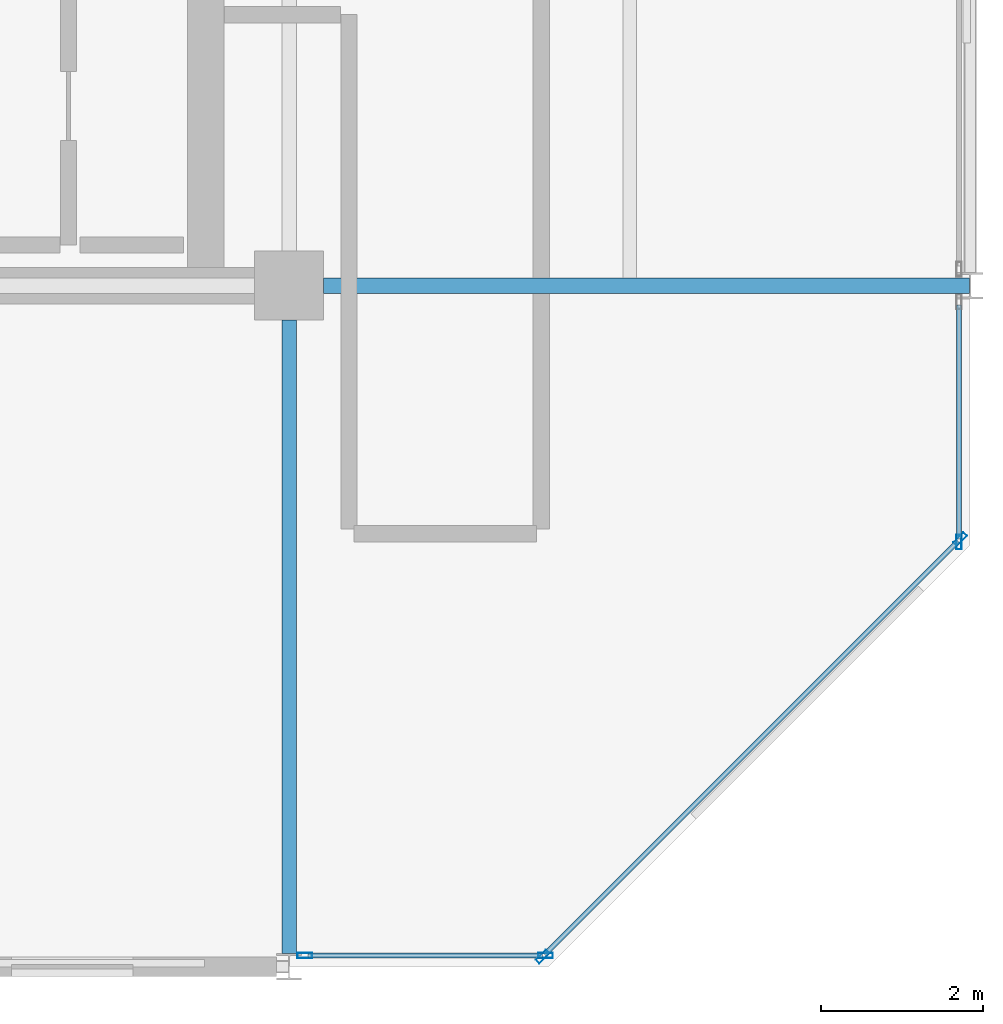
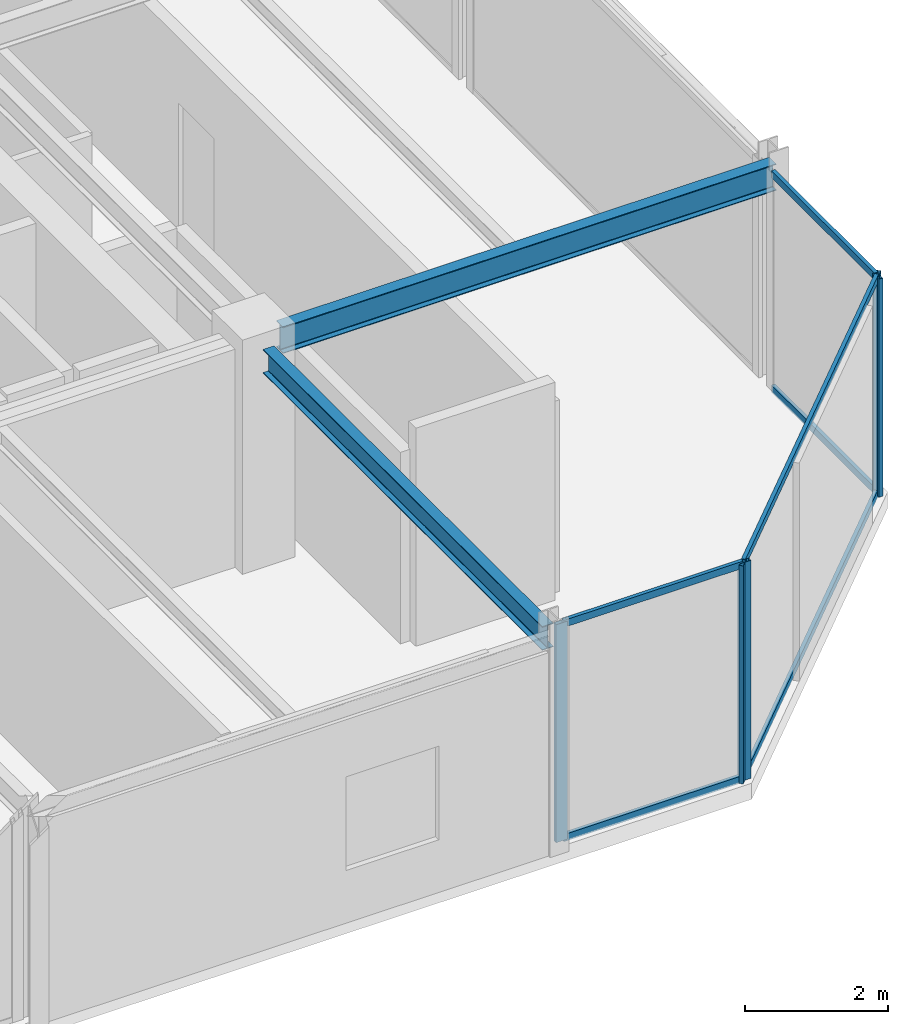
# One storey, part 14 of 26: 11 members, 2 beams, 3 elements without a shape of their own.
"""IFC4 building model written with IfcOpenShell, lengths in metres."""

from ifc_helpers import new_model, si_unit, direction, frame, origin, origin_2d, place, context, subcontext, project, spatial, hollow_rectangle, i_section, extrude, material, layer, layer_set, material_profile, profile_set, type_object, element, aggregate, save


model = new_model("IFC4")

# Units and contexts
model_context = context("Model", 3, precision=1e-05, world=origin(), true_north=direction((0.0, 1.0)))
body_context = subcontext(model_context, "Body", "Model", "MODEL_VIEW")
ifc_project = project(units=[si_unit("LENGTHUNIT", "METRE"), si_unit("AREAUNIT", "SQUARE_METRE"), si_unit("VOLUMEUNIT", "CUBIC_METRE"), si_unit("PLANEANGLEUNIT", "RADIAN"), si_unit("MASSUNIT", "GRAM", prefix="KILO")], contexts=[model_context])

# Site, building, storey
site_placement = place(None, origin())
site = spatial("IfcSite", under=ifc_project, at=site_placement, CompositionType="ELEMENT")
building_placement = place(site_placement, origin())
building = spatial("IfcBuilding", under=site, at=building_placement, Name="Nerrivon Quay Data Exchange", CompositionType="ELEMENT")
storey_placement = place(building_placement, frame((0.0, 0.0, 262.199951171875)))
storey = spatial("IfcBuildingStorey", under=building, at=storey_placement, Name="L62", CompositionType="ELEMENT", Elevation=262.199951171875)

# Beams
ifc_material_1 = material(Name="Steel Grade 350", Category="steel")
ifc_material_profile_1 = material_profile(ifc_material_1, i_section(OverallWidth=0.18994140625, OverallDepth=0.4541015625, WebThickness=0.008544921875, FlangeThickness=0.0126953125, FilletRadius=0.011474609375, at=origin_2d()), Name="460UB67.1")
ifc_profile_set_1 = profile_set([ifc_material_profile_1], Name="Steel Grade 350")
beam_type_1 = type_object("IfcBeamType", Name="BM-G6-460UB67", PredefinedType="BEAM", material=ifc_profile_set_1)
beam_1_placement = place(storey_placement, frame((34.02490234375, 8.39990234375, 3.498046875), z_axis=(1.0, 0.0, 0.0), x_axis=(0.0, 1.0, 0.0)))
element("IfcBeam", 1, at=beam_1_placement, inside=storey, type_object=beam_type_1, Name="L62 EW Girder Y=8.4 (33.6..42.0)", PredefinedType="BEAM", context=body_context, shape_type="SweptSolid", body=[
    extrude(i_section(OverallWidth=0.18994140625, OverallDepth=0.4541015625, WebThickness=0.008544921875, FlangeThickness=0.0126953125, FilletRadius=0.011474609375, at=origin_2d()), origin(), (0.0, 0.0, 1.0), 7.96728515625),
])
ifc_material_profile_2 = material_profile(ifc_material_1, i_section(OverallWidth=0.177978515625, OverallDepth=0.406005859375, WebThickness=0.0078125, FlangeThickness=0.0126953125, FilletRadius=0.011474609375, at=origin_2d()), Name="410UB59.7")
ifc_profile_set_2 = profile_set([ifc_material_profile_2], Name="Steel Grade 350")
beam_type_2 = type_object("IfcBeamType", Name="BM-J1-410UB60", PredefinedType="JOIST", material=ifc_profile_set_2)
beam_2_placement = place(storey_placement, frame((33.60009765625, 0.16357421875, 3.52197265625), z_axis=(0.0, 1.0, 0.0), x_axis=(-1.0, 0.0, 0.0)))
element("IfcBeam", 2, at=beam_2_placement, inside=storey, type_object=beam_type_2, Name="L62 NS Girder X=33.6 (0.0..8.4)", PredefinedType="JOIST", context=body_context, shape_type="SweptSolid", body=[
    extrude(i_section(OverallWidth=0.177978515625, OverallDepth=0.406005859375, WebThickness=0.0078125, FlangeThickness=0.0126953125, FilletRadius=0.011474609375, at=origin_2d()), origin(), (0.0, 0.0, 1.0), 7.8115234375),
])

# Curtain wall, members
ifc_material_2 = material(Name="Anodised aluminium 6063-T6", Category="aluminium")
ifc_layer = layer(ifc_material_2, 0.195068359375)
ifc_layer_set = layer_set([ifc_layer], Name="Anodised aluminium 6063-T6")
curtain_wall_type = type_object("IfcCurtainWallType", Name="CW-SYS-06", PredefinedType="NOTDEFINED", material=ifc_layer_set)
curtain_wall_1_placement = place(storey_placement, origin())
curtain_wall_1 = element("IfcCurtainWall", 3, at=curtain_wall_1_placement, inside=storey, type_object=curtain_wall_type, Name="L62 Unitised Curtain Wall 1", PredefinedType="NOTDEFINED")
ifc_material_profile_3 = material_profile(ifc_material_2, hollow_rectangle(XDim=0.06494140625, YDim=0.179931640625, WallThickness=0.00341796875, at=origin_2d()), Name="ALU-MULL-180x65")
ifc_profile_set_3 = profile_set([ifc_material_profile_3], Name="Anodised aluminium 6063-T6")
member_type_1 = type_object("IfcMemberType", Name="CWM-180x65", PredefinedType="MULLION", material=ifc_profile_set_3)
member_1_placement = place(storey_placement, frame((41.87451171875, 5.2724609375, 0.0), z_axis=(0.0, 0.0, 1.0), x_axis=(0.707106781187, -0.707106781187, 0.0)))
member_1 = element("IfcMember", 4, at=member_1_placement, type_object=member_type_1, Name="CW06 mullion 1", PredefinedType="MULLION", context=body_context, shape_type="SweptSolid", body=[
    extrude(hollow_rectangle(XDim=0.06494140625, YDim=0.179931640625, WallThickness=0.00341796875, at=origin_2d()), origin(), (0.0, 0.0, 1.0), 3.72509765625),
])
member_2_placement = place(storey_placement, frame((36.7275390625, 0.12548828125, 0.0), z_axis=(0.0, 0.0, 1.0), x_axis=(0.707106781187, -0.707106781187, 0.0)))
member_2 = element("IfcMember", 5, at=member_2_placement, type_object=member_type_1, Name="CW06 mullion 2", PredefinedType="MULLION", context=body_context, shape_type="SweptSolid", body=[
    extrude(hollow_rectangle(XDim=0.06494140625, YDim=0.179931640625, WallThickness=0.00341796875, at=origin_2d()), origin(), (0.0, 0.0, 1.0), 3.72509765625),
])

curtain_wall_2_placement = place(storey_placement, origin())
curtain_wall_2 = element("IfcCurtainWall", 6, at=curtain_wall_2_placement, inside=storey, type_object=curtain_wall_type, Name="L62 Unitised Curtain Wall 2", PredefinedType="NOTDEFINED")
member_3_placement = place(storey_placement, frame((36.762451171875, 0.139892578125, 0.0), z_axis=(0.0, 0.0, 1.0), x_axis=(0.0, -1.0, 0.0)))
member_3 = element("IfcMember", 7, at=member_3_placement, type_object=member_type_1, Name="CW06 mullion 1", PredefinedType="MULLION", context=body_context, shape_type="SweptSolid", body=[
    extrude(hollow_rectangle(XDim=0.06494140625, YDim=0.179931640625, WallThickness=0.00341796875, at=origin_2d()), origin(), (0.0, 0.0, 1.0), 3.72509765625),
])
member_4_placement = place(storey_placement, frame((33.79296875, 0.139892578125, 0.0), z_axis=(0.0, 0.0, 1.0), x_axis=(0.0, -1.0, 0.0)))
member_4 = element("IfcMember", 8, at=member_4_placement, type_object=member_type_1, Name="CW06 mullion 2", PredefinedType="MULLION", context=body_context, shape_type="SweptSolid", body=[
    extrude(hollow_rectangle(XDim=0.06494140625, YDim=0.179931640625, WallThickness=0.00341796875, at=origin_2d()), origin(), (0.0, 0.0, 1.0), 3.72509765625),
])

# Curtain wall, member
curtain_wall_3_placement = place(storey_placement, origin())
curtain_wall_3 = element("IfcCurtainWall", 9, at=curtain_wall_3_placement, inside=storey, type_object=curtain_wall_type, Name="L62 Unitised Curtain Wall 28", PredefinedType="NOTDEFINED")
member_5_placement = place(storey_placement, frame((41.860107421875, 5.237548828125, 0.0), z_axis=(0.0, 0.0, 1.0), x_axis=(1.0, 0.0, 0.0)))
member_5 = element("IfcMember", 10, at=member_5_placement, type_object=member_type_1, Name="CW06 mullion 2", PredefinedType="MULLION", context=body_context, shape_type="SweptSolid", body=[
    extrude(hollow_rectangle(XDim=0.06494140625, YDim=0.179931640625, WallThickness=0.00341796875, at=origin_2d()), origin(), (0.0, 0.0, 1.0), 3.72509765625),
])

# Member
ifc_material_profile_4 = material_profile(ifc_material_2, hollow_rectangle(XDim=0.06005859375, YDim=0.1201171875, WallThickness=0.003173828125, at=origin_2d()), Name="ALU-TRAN-120x60")
ifc_profile_set_4 = profile_set([ifc_material_profile_4], Name="Anodised aluminium 6063-T6")
member_type_2 = type_object("IfcMemberType", Name="CWT-120x60", PredefinedType="USERDEFINED", material=ifc_profile_set_4)
member_6_placement = place(storey_placement, frame((41.847900390625, 5.245849609375, 0.032470703125), z_axis=(-0.707106781187, -0.707106781187, 0.0), x_axis=(0.707106781187, -0.707106781187, 0.0)))
member_6 = element("IfcMember", 11, at=member_6_placement, type_object=member_type_2, Name="CW06 transom 1.1", ObjectType="TRANSOM", PredefinedType="USERDEFINED", context=body_context, shape_type="SweptSolid", body=[
    extrude(hollow_rectangle(XDim=0.06005859375, YDim=0.1201171875, WallThickness=0.003173828125, at=origin_2d()), origin(), (0.0, 0.0, 1.0), 7.20361328125),
])

member_7_placement = place(storey_placement, frame((41.847900390625, 5.245849609375, 3.692626953125), z_axis=(-0.707106781187, -0.707106781187, 0.0), x_axis=(0.707106781187, -0.707106781187, 0.0)))
member_7 = element("IfcMember", 12, at=member_7_placement, type_object=member_type_2, Name="CW06 transom 1.2", ObjectType="TRANSOM", PredefinedType="USERDEFINED", context=body_context, shape_type="SweptSolid", body=[
    extrude(hollow_rectangle(XDim=0.06005859375, YDim=0.1201171875, WallThickness=0.003173828125, at=origin_2d()), origin(), (0.0, 0.0, 1.0), 7.20361328125),
])

aggregate(curtain_wall_1, [member_1, member_2, member_6, member_7])

member_8_placement = place(storey_placement, frame((36.72509765625, 0.139892578125, 0.032470703125), z_axis=(-1.0, 0.0, 0.0), x_axis=(0.0, -1.0, 0.0)))
member_8 = element("IfcMember", 13, at=member_8_placement, type_object=member_type_2, Name="CW06 transom 1.1", ObjectType="TRANSOM", PredefinedType="USERDEFINED", context=body_context, shape_type="SweptSolid", body=[
    extrude(hollow_rectangle(XDim=0.06005859375, YDim=0.1201171875, WallThickness=0.003173828125, at=origin_2d()), origin(), (0.0, 0.0, 1.0), 2.89453125),
])

member_9_placement = place(storey_placement, frame((36.72509765625, 0.139892578125, 3.692626953125), z_axis=(-1.0, 0.0, 0.0), x_axis=(0.0, -1.0, 0.0)))
member_9 = element("IfcMember", 14, at=member_9_placement, type_object=member_type_2, Name="CW06 transom 1.2", ObjectType="TRANSOM", PredefinedType="USERDEFINED", context=body_context, shape_type="SweptSolid", body=[
    extrude(hollow_rectangle(XDim=0.06005859375, YDim=0.1201171875, WallThickness=0.003173828125, at=origin_2d()), origin(), (0.0, 0.0, 1.0), 2.89453125),
])

aggregate(curtain_wall_2, [member_3, member_4, member_8, member_9])

member_10_placement = place(storey_placement, frame((41.860107421875, 8.16162109375, 0.032470703125), z_axis=(0.0, -1.0, 0.0), x_axis=(1.0, 0.0, 0.0)))
member_10 = element("IfcMember", 15, at=member_10_placement, type_object=member_type_2, Name="CW06 transom 1.1", ObjectType="TRANSOM", PredefinedType="USERDEFINED", context=body_context, shape_type="SweptSolid", body=[
    extrude(hollow_rectangle(XDim=0.06005859375, YDim=0.1201171875, WallThickness=0.003173828125, at=origin_2d()), origin(), (0.0, 0.0, 1.0), 2.88671875),
])

member_11_placement = place(storey_placement, frame((41.860107421875, 8.16162109375, 3.692626953125), z_axis=(0.0, -1.0, 0.0), x_axis=(1.0, 0.0, 0.0)))
member_11 = element("IfcMember", 16, at=member_11_placement, type_object=member_type_2, Name="CW06 transom 1.2", ObjectType="TRANSOM", PredefinedType="USERDEFINED", context=body_context, shape_type="SweptSolid", body=[
    extrude(hollow_rectangle(XDim=0.06005859375, YDim=0.1201171875, WallThickness=0.003173828125, at=origin_2d()), origin(), (0.0, 0.0, 1.0), 2.88671875),
])

aggregate(curtain_wall_3, [member_5, member_10, member_11])

save(model, "model.ifc")
